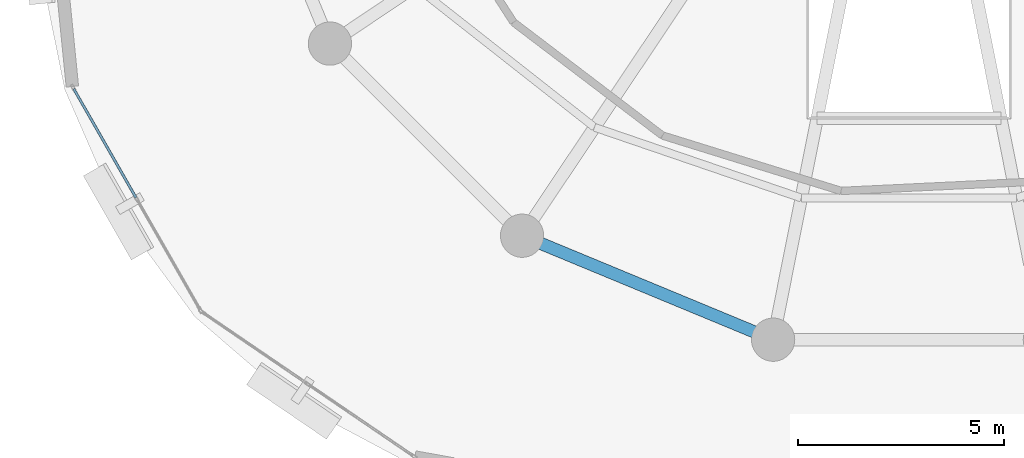
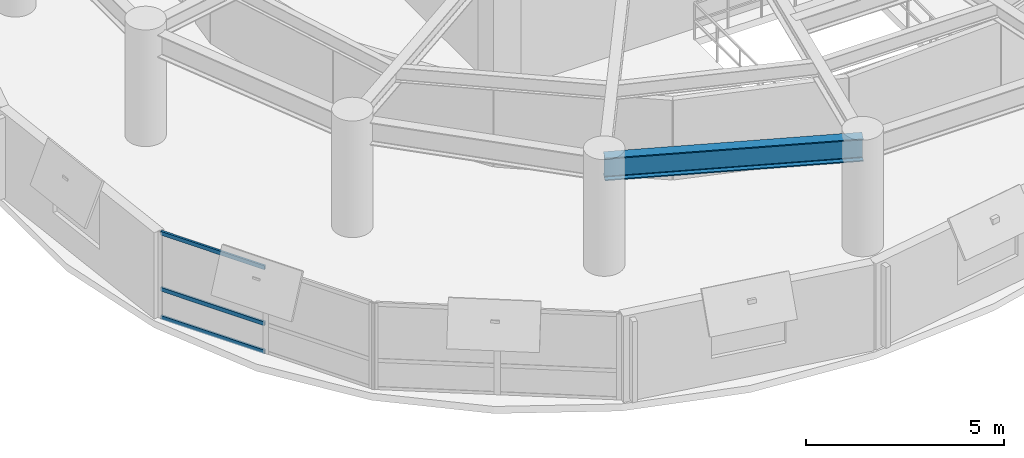
# One storey, part 3 of 12: 3 members, 1 beam, 1 element without a shape of its own.
"""IFC4 building model written with IfcOpenShell, lengths in metres."""

from ifc_helpers import new_model, si_unit, direction, frame, origin, origin_2d, place, context, subcontext, project, spatial, hollow_rectangle, i_section, extrude, material, layer, layer_set, material_profile, profile_set, type_object, element, aggregate, save


model = new_model("IFC4")

# Units and contexts
model_context = context("Model", 3, precision=1e-05, world=origin(), true_north=direction((0.0, 1.0)))
body_context = subcontext(model_context, "Body", "Model", "MODEL_VIEW")
ifc_project = project(units=[si_unit("LENGTHUNIT", "METRE"), si_unit("AREAUNIT", "SQUARE_METRE"), si_unit("VOLUMEUNIT", "CUBIC_METRE"), si_unit("PLANEANGLEUNIT", "RADIAN"), si_unit("MASSUNIT", "GRAM", prefix="KILO"), si_unit("THERMODYNAMICTEMPERATUREUNIT", "KELVIN"), si_unit("POWERUNIT", "WATT")], contexts=[model_context])

# Site, building, storey
site_placement = place(None, origin())
site = spatial("IfcSite", under=ifc_project, at=site_placement, CompositionType="ELEMENT")
building_placement = place(site_placement, origin())
building = spatial("IfcBuilding", under=site, at=building_placement, Name="Ocrelia Relay Tower", CompositionType="ELEMENT")
storey_placement = place(building_placement, frame((0.0, 0.0, 209.60009765625)))
storey = spatial("IfcBuildingStorey", under=building, at=storey_placement, Name="L51", CompositionType="ELEMENT", Elevation=209.60009765625)

# Beam
ifc_material_1 = material(Name="Steel S355", Category="steel")
ifc_material_profile_1 = material_profile(ifc_material_1, i_section(OverallWidth=0.300048828125, OverallDepth=0.699951171875, WebThickness=0.01708984375, FlangeThickness=0.031982421875, FilletRadius=0.027099609375, at=origin_2d()), Name="HEB 700")
ifc_profile_set_1 = profile_set([ifc_material_profile_1], Name="Steel S355")
beam_type = type_object("IfcBeamType", Name="BM-HEB700", PredefinedType="BEAM", material=ifc_profile_set_1)
beam_placement = place(storey_placement, frame((24.61083984375, 11.9482421875, 3.02978515625), z_axis=(0.923877844151, -0.382687508402, 0.0), x_axis=(0.382687508402, 0.923877844151, 0.0)))
element("IfcBeam", 1, at=beam_placement, inside=storey, type_object=beam_type, Name="L51 Perimeter Spandrel Beam S11", PredefinedType="BEAM", context=body_context, shape_type="SweptSolid", body=[
    extrude(i_section(OverallWidth=0.300048828125, OverallDepth=0.699951171875, WebThickness=0.01708984375, FlangeThickness=0.031982421875, FilletRadius=0.027099609375, at=origin_2d()), origin(), (0.0, 0.0, 1.0), 6.593994140625),
])

# Curtain wall, members
ifc_material_2 = material(Name="Aluminium and solar-control low-E glass", Category="aluminium")
ifc_layer = layer(ifc_material_2, 0.179931640625, Name="Aluminium and solar-control low-E glass")
ifc_layer_set = layer_set([ifc_layer], Name="Aluminium and solar-control low-E glass")
curtain_wall_type = type_object("IfcCurtainWallType", Name="CW-SYS-Z3-CLOU", PredefinedType="NOTDEFINED", material=ifc_layer_set)
curtain_wall_placement = place(storey_placement, origin())
curtain_wall = element("IfcCurtainWall", 2, at=curtain_wall_placement, inside=storey, type_object=curtain_wall_type, Name="L51 Elliptical Tower Curtain Wall Bay 09", PredefinedType="NOTDEFINED")
ifc_material_3 = material(Name="Anodised bronze aluminium", Category="aluminium")
ifc_material_profile_2 = material_profile(ifc_material_3, hollow_rectangle(XDim=0.06005859375, YDim=0.1201171875, WallThickness=0.0048828125, at=origin_2d()), Name="CW-TRN-120x60")
ifc_profile_set_2 = profile_set([ifc_material_profile_2], Name="Anodised bronze aluminium")
member_type = type_object("IfcMemberType", Name="CW-SYS-Z3-CLOU-TRN", PredefinedType="USERDEFINED", material=ifc_profile_set_2)
member_1_placement = place(storey_placement, frame((13.729736328125, 15.51318359375, 0.02978515625), z_axis=(0.496501692353, -0.868035753578, 0.0), x_axis=(0.868035753578, 0.496501692353, 0.0)))
member_1 = element("IfcMember", 3, at=member_1_placement, type_object=member_type, Name="CW-Z3 transom 1.1", ObjectType="TRANSOM", PredefinedType="USERDEFINED", context=body_context, shape_type="SweptSolid", body=[
    extrude(hollow_rectangle(XDim=0.06005859375, YDim=0.1201171875, WallThickness=0.0048828125, at=origin_2d()), origin(), (0.0, 0.0, 1.0), 3.043701171875),
])
member_2_placement = place(storey_placement, frame((13.729736328125, 15.51318359375, 0.89990234375), z_axis=(0.496501692353, -0.868035753578, 0.0), x_axis=(0.868035753578, 0.496501692353, 0.0)))
member_2 = element("IfcMember", 4, at=member_2_placement, type_object=member_type, Name="CW-Z3 transom 1.2", ObjectType="TRANSOM", PredefinedType="USERDEFINED", context=body_context, shape_type="SweptSolid", body=[
    extrude(hollow_rectangle(XDim=0.06005859375, YDim=0.1201171875, WallThickness=0.0048828125, at=origin_2d()), origin(), (0.0, 0.0, 1.0), 3.043701171875),
])
member_3_placement = place(storey_placement, frame((13.729736328125, 15.51318359375, 2.6298828125), z_axis=(0.496501692353, -0.868035753578, 0.0), x_axis=(0.868035753578, 0.496501692353, 0.0)))
member_3 = element("IfcMember", 5, at=member_3_placement, type_object=member_type, Name="CW-Z3 transom 1.3", ObjectType="TRANSOM", PredefinedType="USERDEFINED", context=body_context, shape_type="SweptSolid", body=[
    extrude(hollow_rectangle(XDim=0.06005859375, YDim=0.1201171875, WallThickness=0.0048828125, at=origin_2d()), origin(), (0.0, 0.0, 1.0), 3.043701171875),
])
aggregate(curtain_wall, [member_1, member_2, member_3])

save(model, "model.ifc")
